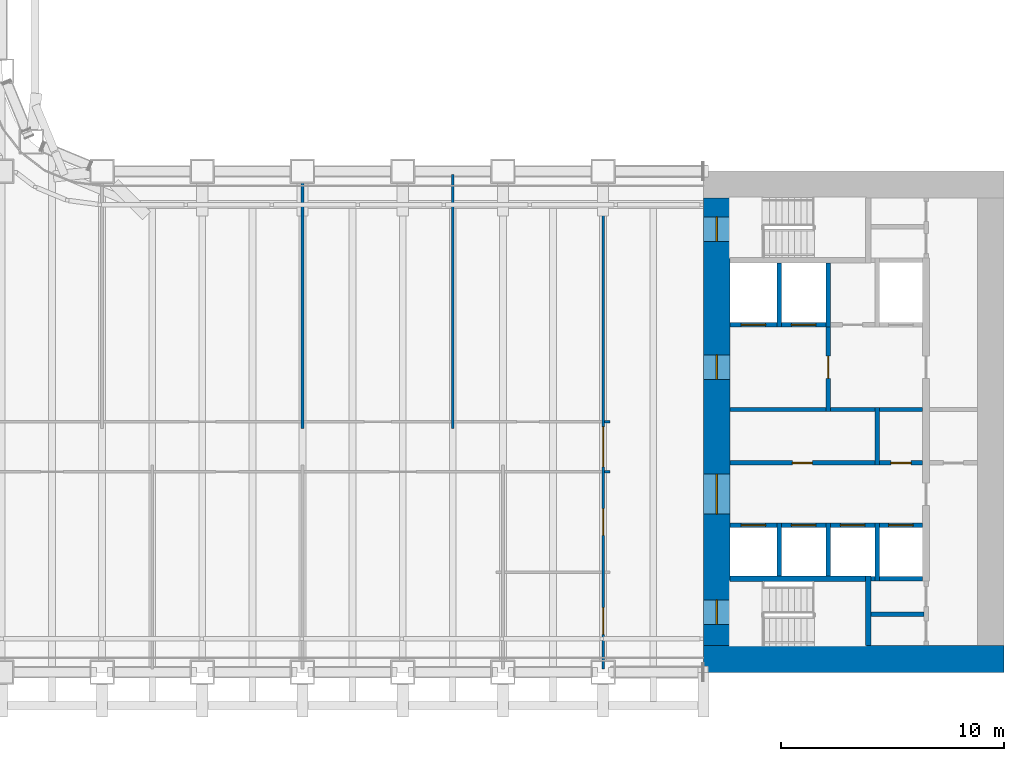
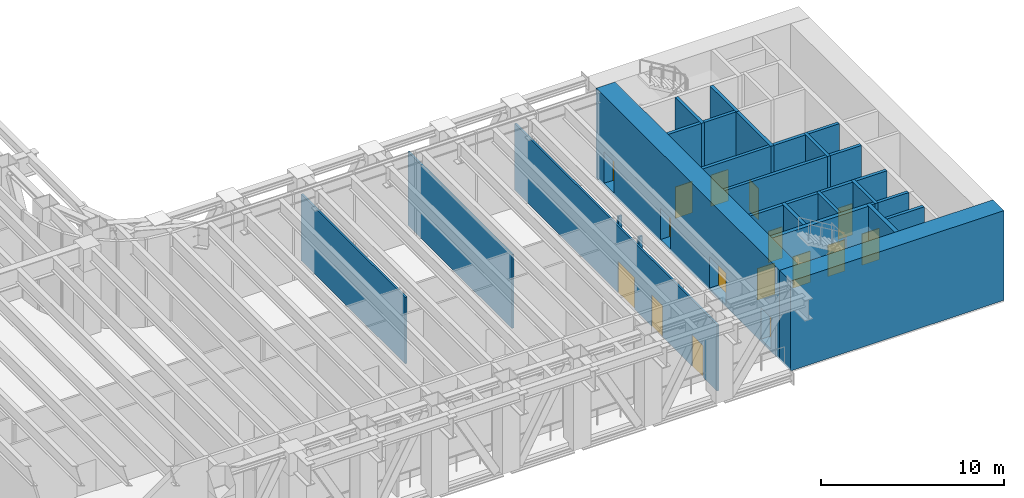
# One storey, part 8 of 19: 30 walls, 16 doors, 16 openings.
"""IFC4 building model written with IfcOpenShell, lengths in metres."""

from ifc_helpers import new_model, si_unit, direction, frame, frame_2d, origin, place, context, subcontext, project, spatial, rectangle, extrude, material, layer, layer_set, type_object, element, fill, save


model = new_model("IFC4")

# Units and contexts
model_context = context("Model", 3, precision=1e-05, world=origin(), true_north=direction((0.0, 1.0)))
body_context = subcontext(model_context, "Body", "Model", "MODEL_VIEW")
ifc_project = project(units=[si_unit("LENGTHUNIT", "METRE"), si_unit("AREAUNIT", "SQUARE_METRE"), si_unit("VOLUMEUNIT", "CUBIC_METRE"), si_unit("PLANEANGLEUNIT", "RADIAN"), si_unit("MASSUNIT", "GRAM", prefix="KILO")], contexts=[model_context])

# Site, building, storey
site_placement = place(None, origin())
site = spatial("IfcSite", under=ifc_project, at=site_placement, CompositionType="ELEMENT")
building_placement = place(site_placement, origin())
building = spatial("IfcBuilding", under=site, at=building_placement, Name="Sennacour Bend Tower", CompositionType="ELEMENT")
storey_placement = place(building_placement, frame((0.0, 0.0, 77.0)))
storey = spatial("IfcBuildingStorey", under=building, at=storey_placement, Name="L17", CompositionType="ELEMENT", Elevation=77.0)

# Wall
ifc_material_1 = material(Name="Concrete C80/95", Category="concrete")
ifc_layer_1 = layer(ifc_material_1, 1.199951171875, Name="Concrete C80/95", Category="concrete")
ifc_layer_set_1 = layer_set([ifc_layer_1], Name="Concrete C80/95")
wall_type_1 = type_object("IfcWallType", Name="Core wall 1200 C80/95", PredefinedType="SHEAR", material=ifc_layer_set_1)
wall_1_placement = place(storey_placement, frame((67.5, 0.60009765625, -0.14990234375), z_axis=(0.0, 0.0, 1.0), x_axis=(-1.0, 0.0, 0.0)))
element("IfcWall", 1, at=wall_1_placement, inside=storey, type_object=wall_type_1, Name="Core A wall L17 S", PredefinedType="SHEAR", context=body_context, shape_type="SweptSolid", body=[
    extrude(rectangle(XDim=13.5, YDim=1.199951171875, at=frame_2d((6.75, 0.0))), origin(), (0.0, 0.0, 1.0), 6.0),
])

# Wall, openings, doors
wall_2_placement = place(storey_placement, frame((54.60009765625, 1.199951171875, -0.14990234375), z_axis=(0.0, 0.0, 1.0), x_axis=(0.0, 1.0, 0.0)))
wall_2 = element("IfcWall", 2, at=wall_2_placement, inside=storey, type_object=wall_type_1, Name="Core A wall L17 W", PredefinedType="SHEAR", context=body_context, shape_type="SweptSolid", body=[
    extrude(rectangle(XDim=20.10009765625, YDim=1.199951171875, at=frame_2d((10.050048828125, 0.0))), origin(), (0.0, 0.0, 1.0), 6.0),
])
opening_1_placement = place(wall_2_placement, frame((5.89990234375, 0.0, 0.14990234375)))
opening_1 = element("IfcOpeningElement", 3, at=opening_1_placement, cuts=wall_2, Name="Opening CD", PredefinedType="OPENING", context=body_context, shape_type="SweptSolid", body=[
    extrude(rectangle(XDim=1.800048828125, YDim=2.10009765625, at=frame_2d((0.89990234375, 1.050048828125))), frame((0.0, 0.60986328125, 0.0), z_axis=(0.0, -1.0, 0.0), x_axis=(1.0, 0.0, 0.0)), (0.0, 0.0, 1.0), 1.219970703125),
])
opening_2_placement = place(wall_2_placement, frame((11.949951171875, 0.0, 0.14990234375)))
opening_2 = element("IfcOpeningElement", 4, at=opening_2_placement, cuts=wall_2, Name="Opening FD", PredefinedType="OPENING", context=body_context, shape_type="SweptSolid", body=[
    extrude(rectangle(XDim=1.10009765625, YDim=2.10009765625, at=frame_2d((0.550048828125, 1.050048828125))), frame((0.0, 0.60986328125, 0.0), z_axis=(0.0, -1.0, 0.0), x_axis=(1.0, 0.0, 0.0)), (0.0, 0.0, 1.0), 1.219970703125),
])
opening_3_placement = place(wall_2_placement, frame((0.949951171875, 0.0, 0.14990234375)))
opening_3 = element("IfcOpeningElement", 5, at=opening_3_placement, cuts=wall_2, Name="Opening SD", PredefinedType="OPENING", context=body_context, shape_type="SweptSolid", body=[
    extrude(rectangle(XDim=1.10009765625, YDim=2.10009765625, at=frame_2d((0.550048828125, 1.050048828125))), frame((0.0, 0.60986328125, 0.0), z_axis=(0.0, -1.0, 0.0), x_axis=(1.0, 0.0, 0.0)), (0.0, 0.0, 1.0), 1.219970703125),
])
opening_4_placement = place(wall_2_placement, frame((18.14990234375, 0.0, 0.14990234375)))
opening_4 = element("IfcOpeningElement", 6, at=opening_4_placement, cuts=wall_2, Name="Opening SD", PredefinedType="OPENING", context=body_context, shape_type="SweptSolid", body=[
    extrude(rectangle(XDim=1.10009765625, YDim=2.10009765625, at=frame_2d((0.550048828125, 1.050048828125))), frame((0.0, 0.60986328125, 0.0), z_axis=(0.0, -1.0, 0.0), x_axis=(1.0, 0.0, 0.0)), (0.0, 0.0, 1.0), 1.219970703125),
])
ifc_material_2 = material(Name="Painted steel", Category="steel")
door_type_1 = type_object("IfcDoorType", Name="DR-FFL-1100", OperationType="NOTDEFINED", PredefinedType="DOOR", material=ifc_material_2)
door_1_placement = place(opening_2_placement, origin())
door_1 = element("IfcDoor", 7, at=door_1_placement, inside=storey, type_object=door_type_1, Name="Door", OperationType="SINGLE_SWING_RIGHT", OverallHeight=2.10009765625, OverallWidth=1.10009765625, PredefinedType="DOOR", context=body_context, shape_type="SweptSolid", body=[
    extrude(rectangle(XDim=1.10009765625, YDim=2.10009765625, at=frame_2d((0.550048828125, 1.050048828125))), frame((0.0, 0.02490234375, 0.0), z_axis=(0.0, -1.0, 0.0), x_axis=(1.0, 0.0, 0.0)), (0.0, 0.0, 1.0), 0.050048828125),
])
fill(opening_2, door_1)
door_type_2 = type_object("IfcDoorType", Name="DR-LOBBY-1800", OperationType="NOTDEFINED", PredefinedType="DOOR", material=ifc_material_2)
door_2_placement = place(opening_1_placement, origin())
door_2 = element("IfcDoor", 8, at=door_2_placement, inside=storey, type_object=door_type_2, Name="Door", OperationType="DOUBLE_DOOR_SINGLE_SWING", OverallHeight=2.10009765625, OverallWidth=1.800048828125, PredefinedType="DOOR", context=body_context, shape_type="SweptSolid", body=[
    extrude(rectangle(XDim=1.800048828125, YDim=2.10009765625, at=frame_2d((0.89990234375, 1.050048828125))), frame((0.0, 0.02490234375, 0.0), z_axis=(0.0, -1.0, 0.0), x_axis=(1.0, 0.0, 0.0)), (0.0, 0.0, 1.0), 0.050048828125),
])
fill(opening_1, door_2)
door_type_3 = type_object("IfcDoorType", Name="DR-STAIR-1100", OperationType="NOTDEFINED", PredefinedType="DOOR", material=ifc_material_2)
door_3_placement = place(opening_3_placement, origin())
door_3 = element("IfcDoor", 9, at=door_3_placement, inside=storey, type_object=door_type_3, Name="Door", OperationType="SINGLE_SWING_LEFT", OverallHeight=2.10009765625, OverallWidth=1.10009765625, PredefinedType="DOOR", context=body_context, shape_type="SweptSolid", body=[
    extrude(rectangle(XDim=1.10009765625, YDim=2.10009765625, at=frame_2d((0.550048828125, 1.050048828125))), frame((0.0, 0.02490234375, 0.0), z_axis=(0.0, -1.0, 0.0), x_axis=(1.0, 0.0, 0.0)), (0.0, 0.0, 1.0), 0.050048828125),
])
fill(opening_3, door_3)
door_4_placement = place(opening_4_placement, origin())
door_4 = element("IfcDoor", 10, at=door_4_placement, inside=storey, type_object=door_type_3, Name="Door", OperationType="SINGLE_SWING_RIGHT", OverallHeight=2.10009765625, OverallWidth=1.10009765625, PredefinedType="DOOR", context=body_context, shape_type="SweptSolid", body=[
    extrude(rectangle(XDim=1.10009765625, YDim=2.10009765625, at=frame_2d((0.550048828125, 1.050048828125))), frame((0.0, 0.02490234375, 0.0), z_axis=(0.0, -1.0, 0.0), x_axis=(1.0, 0.0, 0.0)), (0.0, 0.0, 1.0), 0.050048828125),
])
fill(opening_4, door_4)

# Walls
ifc_material_3 = material(Name="Plasterboard partition on steel studs", Category="steel")
ifc_layer_2 = layer(ifc_material_3, 0.1201171875, Name="Plasterboard partition on steel studs", Category="steel")
ifc_layer_set_2 = layer_set([ifc_layer_2], Name="Plasterboard partition on steel studs")
wall_type_2 = type_object("IfcWallType", Name="Partition 120", PredefinedType="PARTITIONING", material=ifc_layer_set_2)
wall_3_placement = place(storey_placement, frame((36.0, 10.949951171875, 0.0), z_axis=(0.0, 0.0, 1.0), x_axis=(0.0, 1.0, 0.0)))
element("IfcWall", 11, at=wall_3_placement, inside=storey, type_object=wall_type_2, Name="P-L17-W026a", PredefinedType="PARTITIONING", context=body_context, shape_type="SweptSolid", body=[
    extrude(rectangle(XDim=11.400146484375, YDim=0.1201171875, at=frame_2d((5.7001953125, 0.0))), origin(), (0.0, 0.0, 1.0), 4.449951171875),
])
wall_4_placement = place(storey_placement, frame((42.75, 10.949951171875, 0.0), z_axis=(0.0, 0.0, 1.0), x_axis=(0.0, 1.0, 0.0)))
element("IfcWall", 12, at=wall_4_placement, inside=storey, type_object=wall_type_2, Name="P-L17-W027a", PredefinedType="PARTITIONING", context=body_context, shape_type="SweptSolid", body=[
    extrude(rectangle(XDim=11.400146484375, YDim=0.1201171875, at=frame_2d((5.7001953125, 0.0))), origin(), (0.0, 0.0, 1.0), 4.93798828125),
])
for number, where, z_axis, x_axis, name in (
    (13, (49.56005859375, 9.0, 0.0), (0.0, 0.0, 1.0), (1.0, 0.0, 0.0), "P-L17-W052ag"),
    (14, (49.56005859375, 11.25, 0.0), (0.0, 0.0, 1.0), (1.0, 0.0, 0.0), "P-L17-W054ag"),
):
    element("IfcWall", number, at=place(storey_placement, frame(where, z_axis=z_axis, x_axis=x_axis)), inside=storey, type_object=wall_type_2, Name=name, PredefinedType="PARTITIONING", context=body_context, shape_type="SweptSolid", body=[
        extrude(rectangle(XDim=0.239990234375, YDim=0.1201171875, at=frame_2d((0.1201171875, 0.0))), origin(), (0.0, 0.0, 1.0), 4.93798828125),
    ])

# Wall, openings, doors
ifc_layer_3 = layer(ifc_material_3, 0.1201171875, Name="Plasterboard partition on steel studs", Category="steel")
ifc_layer_set_3 = layer_set([ifc_layer_3], Name="Plasterboard partition on steel studs")
wall_type_3 = type_object("IfcWallType", Name="Partition 120 EI 60", PredefinedType="PARTITIONING", material=ifc_layer_set_3)
wall_5_placement = place(storey_placement, frame((49.5, 0.14990234375, 0.0), z_axis=(0.0, 0.0, 1.0), x_axis=(0.0, 1.0, 0.0)))
wall_5 = element("IfcWall", 15, at=wall_5_placement, inside=storey, type_object=wall_type_3, Name="P-L17-W029a", PredefinedType="PARTITIONING", context=body_context, shape_type="SweptSolid", body=[
    extrude(rectangle(XDim=22.2001953125, YDim=0.1201171875, at=frame_2d((11.10009765625, 0.0))), origin(), (0.0, 0.0, 1.0), 4.449951171875),
])
opening_5_placement = place(wall_5_placement, frame((9.0751953125, 0.0, 0.0)))
opening_5 = element("IfcOpeningElement", 16, at=opening_5_placement, cuts=wall_5, Name="Opening KD3", PredefinedType="OPENING", context=body_context, shape_type="SweptSolid", body=[
    extrude(rectangle(XDim=1.800048828125, YDim=2.10009765625, at=frame_2d((0.89990234375, 1.050048828125))), frame((0.0, 0.070068359375, 0.0), z_axis=(0.0, -1.0, 0.0), x_axis=(1.0, 0.0, 0.0)), (0.0, 0.0, 1.0), 0.14013671875),
])
opening_6_placement = place(wall_5_placement, frame((1.55517578125, 0.0, 0.0)))
opening_6 = element("IfcOpeningElement", 17, at=opening_6_placement, cuts=wall_5, Name="Opening CD3", PredefinedType="OPENING", context=body_context, shape_type="SweptSolid", body=[
    extrude(rectangle(XDim=1.199951171875, YDim=2.10009765625, at=frame_2d((0.60009765625, 1.050048828125))), frame((0.0, 0.070068359375, 0.0), z_axis=(0.0, -1.0, 0.0), x_axis=(1.0, 0.0, 0.0)), (0.0, 0.0, 1.0), 0.14013671875),
])
opening_7_placement = place(wall_5_placement, frame((6.0, 0.0, 0.0)))
opening_7 = element("IfcOpeningElement", 18, at=opening_7_placement, cuts=wall_5, Name="Opening CD3", PredefinedType="OPENING", context=body_context, shape_type="SweptSolid", body=[
    extrude(rectangle(XDim=1.199951171875, YDim=2.10009765625, at=frame_2d((0.60009765625, 1.050048828125))), frame((0.0, 0.070068359375, 0.0), z_axis=(0.0, -1.0, 0.0), x_axis=(1.0, 0.0, 0.0)), (0.0, 0.0, 1.0), 0.14013671875),
])
door_type_4 = type_object("IfcDoorType", Name="DR-CORRIDOR-1800", OperationType="NOTDEFINED", PredefinedType="DOOR", material=ifc_material_2)
door_5_placement = place(opening_5_placement, origin())
door_5 = element("IfcDoor", 19, at=door_5_placement, inside=storey, type_object=door_type_4, Name="Door", OperationType="DOUBLE_DOOR_SINGLE_SWING", OverallHeight=2.10009765625, OverallWidth=1.800048828125, PredefinedType="DOOR", context=body_context, shape_type="SweptSolid", body=[
    extrude(rectangle(XDim=1.800048828125, YDim=2.10009765625, at=frame_2d((0.89990234375, 1.050048828125))), frame((0.0, 0.02490234375, 0.0), z_axis=(0.0, -1.0, 0.0), x_axis=(1.0, 0.0, 0.0)), (0.0, 0.0, 1.0), 0.050048828125),
])
fill(opening_5, door_5)
door_type_5 = type_object("IfcDoorType", Name="DR-LOBBY-1200", OperationType="NOTDEFINED", PredefinedType="DOOR", material=ifc_material_2)
door_6_placement = place(opening_6_placement, origin())
door_6 = element("IfcDoor", 20, at=door_6_placement, inside=storey, type_object=door_type_5, Name="Door", OperationType="SINGLE_SWING_LEFT", OverallHeight=2.10009765625, OverallWidth=1.199951171875, PredefinedType="DOOR", context=body_context, shape_type="SweptSolid", body=[
    extrude(rectangle(XDim=1.199951171875, YDim=2.10009765625, at=frame_2d((0.60009765625, 1.050048828125))), frame((0.0, 0.02490234375, 0.0), z_axis=(0.0, -1.0, 0.0), x_axis=(1.0, 0.0, 0.0)), (0.0, 0.0, 1.0), 0.050048828125),
])
fill(opening_6, door_6)
door_7_placement = place(opening_7_placement, origin())
door_7 = element("IfcDoor", 21, at=door_7_placement, inside=storey, type_object=door_type_5, Name="Door", OperationType="SINGLE_SWING_LEFT", OverallHeight=2.10009765625, OverallWidth=1.199951171875, PredefinedType="DOOR", context=body_context, shape_type="SweptSolid", body=[
    extrude(rectangle(XDim=1.199951171875, YDim=2.10009765625, at=frame_2d((0.60009765625, 1.050048828125))), frame((0.0, 0.02490234375, 0.0), z_axis=(0.0, -1.0, 0.0), x_axis=(1.0, 0.0, 0.0)), (0.0, 0.0, 1.0), 0.050048828125),
])
fill(opening_7, door_7)

# Walls
ifc_material_4 = material(Name="Fire-rated plasterboard partition on steel studs", Category="steel")
ifc_layer_4 = layer(ifc_material_4, 0.199951171875, Name="Fire-rated plasterboard partition on steel studs", Category="steel")
ifc_layer_set_4 = layer_set([ifc_layer_4], Name="Fire-rated plasterboard partition on steel studs")
wall_type_4 = type_object("IfcWallType", Name="Rated partition 200", PredefinedType="PARTITIONING", material=ifc_layer_set_4)
wall_6_placement = place(storey_placement, frame((61.800048828125, 9.300048828125, 0.0), z_axis=(0.0, 0.0, 1.0), x_axis=(0.0, 1.0, 0.0)))
element("IfcWall", 22, at=wall_6_placement, inside=storey, type_object=wall_type_4, Name="P-L17-W038", PredefinedType="PARTITIONING", context=body_context, shape_type="SweptSolid", body=[
    extrude(rectangle(XDim=2.599853515625, YDim=0.199951171875, at=frame_2d((1.2998046875, 0.0))), origin(), (0.0, 0.0, 1.0), 5.85009765625),
])
wall_7_placement = place(storey_placement, frame((61.52490234375, 2.60009765625, 0.0), z_axis=(0.0, 0.0, 1.0), x_axis=(1.0, 0.0, 0.0)))
element("IfcWall", 23, at=wall_7_placement, inside=storey, type_object=wall_type_4, Name="P-L17-W045", PredefinedType="PARTITIONING", context=body_context, shape_type="SweptSolid", body=[
    extrude(rectangle(XDim=2.375, YDim=0.199951171875, at=frame_2d((1.1875, 0.0))), origin(), (0.0, 0.0, 1.0), 5.85009765625),
])

# Wall, opening, door
wall_8_placement = place(storey_placement, frame((55.199951171875, 9.39990234375, 0.0), z_axis=(0.0, 0.0, 1.0), x_axis=(1.0, 0.0, 0.0)))
wall_8 = element("IfcWall", 24, at=wall_8_placement, inside=storey, type_object=wall_type_4, Name="P-L17-W053a", PredefinedType="PARTITIONING", context=body_context, shape_type="SweptSolid", body=[
    extrude(rectangle(XDim=6.5, YDim=0.199951171875, at=frame_2d((3.25, 0.0))), origin(), (0.0, 0.0, 1.0), 5.85009765625),
])
opening_8_placement = place(wall_8_placement, frame((2.800048828125, 0.0, 0.0)))
opening_8 = element("IfcOpeningElement", 25, at=opening_8_placement, cuts=wall_8, Name="Opening SV", PredefinedType="OPENING", context=body_context, shape_type="SweptSolid", body=[
    extrude(rectangle(XDim=0.89990234375, YDim=2.10009765625, at=frame_2d((0.449951171875, 1.050048828125))), frame((0.0, 0.10986328125, 0.0), z_axis=(0.0, -1.0, 0.0), x_axis=(1.0, 0.0, 0.0)), (0.0, 0.0, 1.0), 0.219970703125),
])
door_type_6 = type_object("IfcDoorType", Name="DR-SERVICE-900", OperationType="NOTDEFINED", PredefinedType="DOOR", material=ifc_material_2)
door_8_placement = place(opening_8_placement, origin())
door_8 = element("IfcDoor", 26, at=door_8_placement, inside=storey, type_object=door_type_6, Name="Door", OperationType="SINGLE_SWING_LEFT", OverallHeight=2.10009765625, OverallWidth=0.89990234375, PredefinedType="DOOR", context=body_context, shape_type="SweptSolid", body=[
    extrude(rectangle(XDim=0.89990234375, YDim=2.10009765625, at=frame_2d((0.449951171875, 1.050048828125))), frame((0.0, 0.02490234375, 0.0), z_axis=(0.0, -1.0, 0.0), x_axis=(1.0, 0.0, 0.0)), (0.0, 0.0, 1.0), 0.050048828125),
])
fill(opening_8, door_8)

wall_9_placement = place(storey_placement, frame((61.89990234375, 9.39990234375, 0.0), z_axis=(0.0, 0.0, 1.0), x_axis=(1.0, 0.0, 0.0)))
wall_9 = element("IfcWall", 27, at=wall_9_placement, inside=storey, type_object=wall_type_4, Name="P-L17-W053b", PredefinedType="PARTITIONING", context=body_context, shape_type="SweptSolid", body=[
    extrude(rectangle(XDim=1.9501953125, YDim=0.199951171875, at=frame_2d((0.97509765625, 0.0))), origin(), (0.0, 0.0, 1.0), 5.85009765625),
])
opening_9_placement = place(wall_9_placement, frame((0.525146484375, 0.0, 0.0)))
opening_9 = element("IfcOpeningElement", 28, at=opening_9_placement, cuts=wall_9, Name="Opening SV", PredefinedType="OPENING", context=body_context, shape_type="SweptSolid", body=[
    extrude(rectangle(XDim=0.89990234375, YDim=2.10009765625, at=frame_2d((0.449951171875, 1.050048828125))), frame((0.0, 0.10986328125, 0.0), z_axis=(0.0, -1.0, 0.0), x_axis=(1.0, 0.0, 0.0)), (0.0, 0.0, 1.0), 0.219970703125),
])
door_9_placement = place(opening_9_placement, origin())
door_9 = element("IfcDoor", 29, at=door_9_placement, inside=storey, type_object=door_type_6, Name="Door", OperationType="SINGLE_SWING_LEFT", OverallHeight=2.10009765625, OverallWidth=0.89990234375, PredefinedType="DOOR", context=body_context, shape_type="SweptSolid", body=[
    extrude(rectangle(XDim=0.89990234375, YDim=2.10009765625, at=frame_2d((0.449951171875, 1.050048828125))), frame((0.0, 0.02490234375, 0.0), z_axis=(0.0, -1.0, 0.0), x_axis=(1.0, 0.0, 0.0)), (0.0, 0.0, 1.0), 0.050048828125),
])
fill(opening_9, door_9)

# Walls
wall_10_placement = place(storey_placement, frame((55.199951171875, 11.800048828125, 0.0), z_axis=(0.0, 0.0, 1.0), x_axis=(1.0, 0.0, 0.0)))
element("IfcWall", 30, at=wall_10_placement, inside=storey, type_object=wall_type_4, Name="P-L17-W055a", PredefinedType="PARTITIONING", context=body_context, shape_type="SweptSolid", body=[
    extrude(rectangle(XDim=4.300048828125, YDim=0.199951171875, at=frame_2d((2.14990234375, 0.0))), origin(), (0.0, 0.0, 1.0), 5.85009765625),
])
wall_11_placement = place(storey_placement, frame((59.699951171875, 11.800048828125, 0.0), z_axis=(0.0, 0.0, 1.0), x_axis=(1.0, 0.0, 0.0)))
element("IfcWall", 31, at=wall_11_placement, inside=storey, type_object=wall_type_4, Name="P-L17-W055b", PredefinedType="PARTITIONING", context=body_context, shape_type="SweptSolid", body=[
    extrude(rectangle(XDim=2.0, YDim=0.199951171875, at=frame_2d((1.0, 0.0))), origin(), (0.0, 0.0, 1.0), 5.85009765625),
])
wall_12_placement = place(storey_placement, frame((61.89990234375, 11.800048828125, 0.0), z_axis=(0.0, 0.0, 1.0), x_axis=(1.0, 0.0, 0.0)))
element("IfcWall", 32, at=wall_12_placement, inside=storey, type_object=wall_type_4, Name="P-L17-W055c", PredefinedType="PARTITIONING", context=body_context, shape_type="SweptSolid", body=[
    extrude(rectangle(XDim=1.9501953125, YDim=0.199951171875, at=frame_2d((0.97509765625, 0.0))), origin(), (0.0, 0.0, 1.0), 5.85009765625),
])

# Wall, opening, door
ifc_layer_5 = layer(ifc_material_4, 0.199951171875, Name="Fire-rated plasterboard partition on steel studs", Category="steel")
ifc_layer_set_5 = layer_set([ifc_layer_5], Name="Fire-rated plasterboard partition on steel studs")
wall_type_5 = type_object("IfcWallType", Name="Rated partition 200 EI 90", PredefinedType="PARTITIONING", material=ifc_layer_set_5)
wall_13_placement = place(storey_placement, frame((59.60009765625, 11.699951171875, 0.0), z_axis=(0.0, 0.0, 1.0), x_axis=(0.0, 1.0, 0.0)))
wall_13 = element("IfcWall", 33, at=wall_13_placement, inside=storey, type_object=wall_type_5, Name="P-L17-W033", PredefinedType="PARTITIONING", context=body_context, shape_type="SweptSolid", body=[
    extrude(rectangle(XDim=3.800048828125, YDim=0.199951171875, at=frame_2d((1.89990234375, 0.0))), origin(), (0.0, 0.0, 1.0), 5.85009765625),
])
opening_10_placement = place(wall_13_placement, frame((1.5, 0.0, 0.0)))
opening_10 = element("IfcOpeningElement", 34, at=opening_10_placement, cuts=wall_13, Name="Opening FD2", PredefinedType="OPENING", context=body_context, shape_type="SweptSolid", body=[
    extrude(rectangle(XDim=1.0, YDim=2.10009765625, at=frame_2d((0.5, 1.050048828125))), frame((0.0, 0.10986328125, 0.0), z_axis=(0.0, -1.0, 0.0), x_axis=(1.0, 0.0, 0.0)), (0.0, 0.0, 1.0), 0.219970703125),
])
door_type_7 = type_object("IfcDoorType", Name="DR-FFL-1000", OperationType="NOTDEFINED", PredefinedType="DOOR", material=ifc_material_2)
door_10_placement = place(opening_10_placement, origin())
door_10 = element("IfcDoor", 35, at=door_10_placement, inside=storey, type_object=door_type_7, Name="Door", OperationType="SINGLE_SWING_RIGHT", OverallHeight=2.10009765625, OverallWidth=1.0, PredefinedType="DOOR", context=body_context, shape_type="SweptSolid", body=[
    extrude(rectangle(XDim=1.0, YDim=2.10009765625, at=frame_2d((0.5, 1.050048828125))), frame((0.0, 0.02490234375, 0.0), z_axis=(0.0, -1.0, 0.0), x_axis=(1.0, 0.0, 0.0)), (0.0, 0.0, 1.0), 0.050048828125),
])
fill(opening_10, door_10)

# Walls
ifc_material_5 = material(Name="Concrete C50/60", Category="concrete")
ifc_layer_6 = layer(ifc_material_5, 0.199951171875, Name="Concrete C50/60", Category="concrete")
ifc_layer_set_6 = layer_set([ifc_layer_6], Name="Concrete C50/60")
wall_type_6 = type_object("IfcWallType", Name="Shaft wall 200", PredefinedType="SOLIDWALL", material=ifc_layer_set_6)
wall_14_placement = place(storey_placement, frame((57.39990234375, 4.324951171875, 0.0), z_axis=(0.0, 0.0, 1.0), x_axis=(0.0, 1.0, 0.0)))
element("IfcWall", 36, at=wall_14_placement, inside=storey, type_object=wall_type_6, Name="P-L17-W030", PredefinedType="SOLIDWALL", context=body_context, shape_type="SweptSolid", body=[
    extrude(rectangle(XDim=2.375, YDim=0.199951171875, at=frame_2d((1.1875, 0.0))), origin(), (0.0, 0.0, 1.0), 5.85009765625),
])
wall_15_placement = place(storey_placement, frame((57.39990234375, 15.5, 0.0), z_axis=(0.0, 0.0, 1.0), x_axis=(0.0, 1.0, 0.0)))
element("IfcWall", 37, at=wall_15_placement, inside=storey, type_object=wall_type_6, Name="P-L17-W031", PredefinedType="SOLIDWALL", context=body_context, shape_type="SweptSolid", body=[
    extrude(rectangle(XDim=2.875, YDim=0.199951171875, at=frame_2d((1.4375, 0.0))), origin(), (0.0, 0.0, 1.0), 5.85009765625),
])
wall_16_placement = place(storey_placement, frame((59.60009765625, 4.324951171875, 0.0), z_axis=(0.0, 0.0, 1.0), x_axis=(0.0, 1.0, 0.0)))
element("IfcWall", 38, at=wall_16_placement, inside=storey, type_object=wall_type_6, Name="P-L17-W032", PredefinedType="SOLIDWALL", context=body_context, shape_type="SweptSolid", body=[
    extrude(rectangle(XDim=2.375, YDim=0.199951171875, at=frame_2d((1.1875, 0.0))), origin(), (0.0, 0.0, 1.0), 5.85009765625),
])
wall_17_placement = place(storey_placement, frame((59.60009765625, 15.5, 0.0), z_axis=(0.0, 0.0, 1.0), x_axis=(0.0, 1.0, 0.0)))
element("IfcWall", 39, at=wall_17_placement, inside=storey, type_object=wall_type_6, Name="P-L17-W034", PredefinedType="SOLIDWALL", context=body_context, shape_type="SweptSolid", body=[
    extrude(rectangle(XDim=2.875, YDim=0.199951171875, at=frame_2d((1.4375, 0.0))), origin(), (0.0, 0.0, 1.0), 5.85009765625),
])
wall_18_placement = place(storey_placement, frame((61.800048828125, 4.10009765625, 0.0), z_axis=(0.0, 0.0, 1.0), x_axis=(0.0, 1.0, 0.0)))
element("IfcWall", 40, at=wall_18_placement, inside=storey, type_object=wall_type_6, Name="P-L17-W037", PredefinedType="SOLIDWALL", context=body_context, shape_type="SweptSolid", body=[
    extrude(rectangle(XDim=2.599853515625, YDim=0.199951171875, at=frame_2d((1.2998046875, 0.0))), origin(), (0.0, 0.0, 1.0), 5.85009765625),
])
wall_19_placement = place(storey_placement, frame((61.52490234375, 4.199951171875, 0.0), z_axis=(0.0, 0.0, 1.0), x_axis=(1.0, 0.0, 0.0)))
element("IfcWall", 41, at=wall_19_placement, inside=storey, type_object=wall_type_6, Name="P-L17-W049a", PredefinedType="SOLIDWALL", context=body_context, shape_type="SweptSolid", body=[
    extrude(rectangle(XDim=0.175048828125, YDim=0.199951171875, at=frame_2d((0.08740234375, 0.0))), origin(), (0.0, 0.0, 1.0), 5.85009765625),
])
wall_20_placement = place(storey_placement, frame((61.89990234375, 4.199951171875, 0.0), z_axis=(0.0, 0.0, 1.0), x_axis=(1.0, 0.0, 0.0)))
element("IfcWall", 42, at=wall_20_placement, inside=storey, type_object=wall_type_6, Name="P-L17-W049b", PredefinedType="SOLIDWALL", context=body_context, shape_type="SweptSolid", body=[
    extrude(rectangle(XDim=1.9501953125, YDim=0.199951171875, at=frame_2d((0.97509765625, 0.0))), origin(), (0.0, 0.0, 1.0), 5.85009765625),
])

# Wall, opening, door
wall_21_placement = place(storey_placement, frame((55.199951171875, 6.60009765625, 0.0), z_axis=(0.0, 0.0, 1.0), x_axis=(1.0, 0.0, 0.0)))
wall_21 = element("IfcWall", 43, at=wall_21_placement, inside=storey, type_object=wall_type_6, Name="P-L17-W051a", PredefinedType="SOLIDWALL", context=body_context, shape_type="SweptSolid", body=[
    extrude(rectangle(XDim=2.10009765625, YDim=0.199951171875, at=frame_2d((1.050048828125, 0.0))), origin(), (0.0, 0.0, 1.0), 5.85009765625),
])
opening_11_placement = place(wall_21_placement, frame((0.5, 0.0, 0.011962890625)))
opening_11 = element("IfcOpeningElement", 44, at=opening_11_placement, cuts=wall_21, Name="Opening LD", PredefinedType="OPENING", context=body_context, shape_type="SweptSolid", body=[
    extrude(rectangle(XDim=1.10009765625, YDim=2.10009765625, at=frame_2d((0.550048828125, 1.050048828125))), frame((0.0, 0.10986328125, 0.0), z_axis=(0.0, -1.0, 0.0), x_axis=(1.0, 0.0, 0.0)), (0.0, 0.0, 1.0), 0.219970703125),
])
ifc_material_6 = material(Name="Stainless steel", Category="steel")
door_type_8 = type_object("IfcDoorType", Name="DR-LANDING-1100", OperationType="NOTDEFINED", PredefinedType="DOOR", material=ifc_material_6)
door_11_placement = place(opening_11_placement, origin())
door_11 = element("IfcDoor", 45, at=door_11_placement, inside=storey, type_object=door_type_8, Name="Lift landing door LA1", OperationType="SLIDING_TO_LEFT", OverallHeight=2.10009765625, OverallWidth=1.10009765625, PredefinedType="DOOR", context=body_context, shape_type="SweptSolid", body=[
    extrude(rectangle(XDim=1.10009765625, YDim=2.10009765625, at=frame_2d((0.550048828125, 1.050048828125))), frame((0.0, 0.02490234375, 0.0), z_axis=(0.0, -1.0, 0.0), x_axis=(1.0, 0.0, 0.0)), (0.0, 0.0, 1.0), 0.050048828125),
])
fill(opening_11, door_11)

wall_22_placement = place(storey_placement, frame((57.5, 6.60009765625, 0.0), z_axis=(0.0, 0.0, 1.0), x_axis=(1.0, 0.0, 0.0)))
wall_22 = element("IfcWall", 46, at=wall_22_placement, inside=storey, type_object=wall_type_6, Name="P-L17-W051b", PredefinedType="SOLIDWALL", context=body_context, shape_type="SweptSolid", body=[
    extrude(rectangle(XDim=2.0, YDim=0.199951171875, at=frame_2d((1.0, 0.0))), origin(), (0.0, 0.0, 1.0), 5.85009765625),
])
opening_12_placement = place(wall_22_placement, frame((0.449951171875, 0.0, 0.011962890625)))
opening_12 = element("IfcOpeningElement", 47, at=opening_12_placement, cuts=wall_22, Name="Opening LD", PredefinedType="OPENING", context=body_context, shape_type="SweptSolid", body=[
    extrude(rectangle(XDim=1.10009765625, YDim=2.10009765625, at=frame_2d((0.550048828125, 1.050048828125))), frame((0.0, 0.10986328125, 0.0), z_axis=(0.0, -1.0, 0.0), x_axis=(1.0, 0.0, 0.0)), (0.0, 0.0, 1.0), 0.219970703125),
])
door_12_placement = place(opening_12_placement, origin())
door_12 = element("IfcDoor", 48, at=door_12_placement, inside=storey, type_object=door_type_8, Name="Lift landing door LA2", OperationType="SLIDING_TO_RIGHT", OverallHeight=2.10009765625, OverallWidth=1.10009765625, PredefinedType="DOOR", context=body_context, shape_type="SweptSolid", body=[
    extrude(rectangle(XDim=1.10009765625, YDim=2.10009765625, at=frame_2d((0.550048828125, 1.050048828125))), frame((0.0, 0.02490234375, 0.0), z_axis=(0.0, -1.0, 0.0), x_axis=(1.0, 0.0, 0.0)), (0.0, 0.0, 1.0), 0.050048828125),
])
fill(opening_12, door_12)

wall_23_placement = place(storey_placement, frame((59.699951171875, 6.60009765625, 0.0), z_axis=(0.0, 0.0, 1.0), x_axis=(1.0, 0.0, 0.0)))
wall_23 = element("IfcWall", 49, at=wall_23_placement, inside=storey, type_object=wall_type_6, Name="P-L17-W051c", PredefinedType="SOLIDWALL", context=body_context, shape_type="SweptSolid", body=[
    extrude(rectangle(XDim=2.0, YDim=0.199951171875, at=frame_2d((1.0, 0.0))), origin(), (0.0, 0.0, 1.0), 5.85009765625),
])
opening_13_placement = place(wall_23_placement, frame((0.449951171875, 0.0, 0.011962890625)))
opening_13 = element("IfcOpeningElement", 50, at=opening_13_placement, cuts=wall_23, Name="Opening LD", PredefinedType="OPENING", context=body_context, shape_type="SweptSolid", body=[
    extrude(rectangle(XDim=1.10009765625, YDim=2.10009765625, at=frame_2d((0.550048828125, 1.050048828125))), frame((0.0, 0.10986328125, 0.0), z_axis=(0.0, -1.0, 0.0), x_axis=(1.0, 0.0, 0.0)), (0.0, 0.0, 1.0), 0.219970703125),
])
door_13_placement = place(opening_13_placement, origin())
door_13 = element("IfcDoor", 51, at=door_13_placement, inside=storey, type_object=door_type_8, Name="Lift landing door LA3", OperationType="SLIDING_TO_LEFT", OverallHeight=2.10009765625, OverallWidth=1.10009765625, PredefinedType="DOOR", context=body_context, shape_type="SweptSolid", body=[
    extrude(rectangle(XDim=1.10009765625, YDim=2.10009765625, at=frame_2d((0.550048828125, 1.050048828125))), frame((0.0, 0.02490234375, 0.0), z_axis=(0.0, -1.0, 0.0), x_axis=(1.0, 0.0, 0.0)), (0.0, 0.0, 1.0), 0.050048828125),
])
fill(opening_13, door_13)

wall_24_placement = place(storey_placement, frame((61.89990234375, 6.60009765625, 0.0), z_axis=(0.0, 0.0, 1.0), x_axis=(1.0, 0.0, 0.0)))
wall_24 = element("IfcWall", 52, at=wall_24_placement, inside=storey, type_object=wall_type_6, Name="P-L17-W051d", PredefinedType="SOLIDWALL", context=body_context, shape_type="SweptSolid", body=[
    extrude(rectangle(XDim=1.9501953125, YDim=0.199951171875, at=frame_2d((0.97509765625, 0.0))), origin(), (0.0, 0.0, 1.0), 5.85009765625),
])
opening_14_placement = place(wall_24_placement, frame((0.425048828125, 0.0, 0.011962890625)))
opening_14 = element("IfcOpeningElement", 53, at=opening_14_placement, cuts=wall_24, Name="Opening LD", PredefinedType="OPENING", context=body_context, shape_type="SweptSolid", body=[
    extrude(rectangle(XDim=1.10009765625, YDim=2.10009765625, at=frame_2d((0.550048828125, 1.050048828125))), frame((0.0, 0.10986328125, 0.0), z_axis=(0.0, -1.0, 0.0), x_axis=(1.0, 0.0, 0.0)), (0.0, 0.0, 1.0), 0.219970703125),
])
door_14_placement = place(opening_14_placement, origin())
door_14 = element("IfcDoor", 54, at=door_14_placement, inside=storey, type_object=door_type_8, Name="Lift landing door LA4", OperationType="SLIDING_TO_RIGHT", OverallHeight=2.10009765625, OverallWidth=1.10009765625, PredefinedType="DOOR", context=body_context, shape_type="SweptSolid", body=[
    extrude(rectangle(XDim=1.10009765625, YDim=2.10009765625, at=frame_2d((0.550048828125, 1.050048828125))), frame((0.0, 0.02490234375, 0.0), z_axis=(0.0, -1.0, 0.0), x_axis=(1.0, 0.0, 0.0)), (0.0, 0.0, 1.0), 0.050048828125),
])
fill(opening_14, door_14)

wall_25_placement = place(storey_placement, frame((55.199951171875, 15.60009765625, 0.0), z_axis=(0.0, 0.0, 1.0), x_axis=(1.0, 0.0, 0.0)))
wall_25 = element("IfcWall", 55, at=wall_25_placement, inside=storey, type_object=wall_type_6, Name="P-L17-W056a", PredefinedType="SOLIDWALL", context=body_context, shape_type="SweptSolid", body=[
    extrude(rectangle(XDim=2.10009765625, YDim=0.199951171875, at=frame_2d((1.050048828125, 0.0))), origin(), (0.0, 0.0, 1.0), 5.85009765625),
])
opening_15_placement = place(wall_25_placement, frame((0.5, 0.0, 0.011962890625)))
opening_15 = element("IfcOpeningElement", 56, at=opening_15_placement, cuts=wall_25, Name="Opening FLD", PredefinedType="OPENING", context=body_context, shape_type="SweptSolid", body=[
    extrude(rectangle(XDim=1.10009765625, YDim=2.10009765625, at=frame_2d((0.550048828125, 1.050048828125))), frame((0.0, 0.10986328125, 0.0), z_axis=(0.0, -1.0, 0.0), x_axis=(1.0, 0.0, 0.0)), (0.0, 0.0, 1.0), 0.219970703125),
])
door_type_9 = type_object("IfcDoorType", Name="DR-FF-LANDING-1100", OperationType="NOTDEFINED", PredefinedType="DOOR", material=ifc_material_6)
door_15_placement = place(opening_15_placement, origin())
door_15 = element("IfcDoor", 57, at=door_15_placement, inside=storey, type_object=door_type_9, Name="Fire service lift landing door FA1", OperationType="SLIDING_TO_LEFT", OverallHeight=2.10009765625, OverallWidth=1.10009765625, PredefinedType="DOOR", context=body_context, shape_type="SweptSolid", body=[
    extrude(rectangle(XDim=1.10009765625, YDim=2.10009765625, at=frame_2d((0.550048828125, 1.050048828125))), frame((0.0, 0.02490234375, 0.0), z_axis=(0.0, -1.0, 0.0), x_axis=(1.0, 0.0, 0.0)), (0.0, 0.0, 1.0), 0.050048828125),
])
fill(opening_15, door_15)

wall_26_placement = place(storey_placement, frame((57.5, 15.60009765625, 0.0), z_axis=(0.0, 0.0, 1.0), x_axis=(1.0, 0.0, 0.0)))
wall_26 = element("IfcWall", 58, at=wall_26_placement, inside=storey, type_object=wall_type_6, Name="P-L17-W056b", PredefinedType="SOLIDWALL", context=body_context, shape_type="SweptSolid", body=[
    extrude(rectangle(XDim=2.0, YDim=0.199951171875, at=frame_2d((1.0, 0.0))), origin(), (0.0, 0.0, 1.0), 5.85009765625),
])
opening_16_placement = place(wall_26_placement, frame((0.449951171875, 0.0, 0.011962890625)))
opening_16 = element("IfcOpeningElement", 59, at=opening_16_placement, cuts=wall_26, Name="Opening FLD", PredefinedType="OPENING", context=body_context, shape_type="SweptSolid", body=[
    extrude(rectangle(XDim=1.10009765625, YDim=2.10009765625, at=frame_2d((0.550048828125, 1.050048828125))), frame((0.0, 0.10986328125, 0.0), z_axis=(0.0, -1.0, 0.0), x_axis=(1.0, 0.0, 0.0)), (0.0, 0.0, 1.0), 0.219970703125),
])
door_16_placement = place(opening_16_placement, origin())
door_16 = element("IfcDoor", 60, at=door_16_placement, inside=storey, type_object=door_type_9, Name="Fire service lift landing door FA2", OperationType="SLIDING_TO_RIGHT", OverallHeight=2.10009765625, OverallWidth=1.10009765625, PredefinedType="DOOR", context=body_context, shape_type="SweptSolid", body=[
    extrude(rectangle(XDim=1.10009765625, YDim=2.10009765625, at=frame_2d((0.550048828125, 1.050048828125))), frame((0.0, 0.02490234375, 0.0), z_axis=(0.0, -1.0, 0.0), x_axis=(1.0, 0.0, 0.0)), (0.0, 0.0, 1.0), 0.050048828125),
])
fill(opening_16, door_16)

# Walls
ifc_material_7 = material(Name="Concrete C60/75", Category="concrete")
ifc_layer_7 = layer(ifc_material_7, 0.25, Name="Concrete C60/75", Category="concrete")
ifc_layer_set_7 = layer_set([ifc_layer_7], Name="Concrete C60/75")
wall_type_7 = type_object("IfcWallType", Name="Stair wall 250", PredefinedType="SHEAR", material=ifc_layer_set_7)
wall_27_placement = place(storey_placement, frame((61.39990234375, 1.199951171875, 0.0), z_axis=(0.0, 0.0, 1.0), x_axis=(0.0, 1.0, 0.0)))
element("IfcWall", 61, at=wall_27_placement, inside=storey, type_object=wall_type_7, Name="P-L17-W035", PredefinedType="SHEAR", context=body_context, shape_type="SweptSolid", body=[
    extrude(rectangle(XDim=3.125, YDim=0.25, at=frame_2d((1.5625, 0.0))), origin(), (0.0, 0.0, 1.0), 5.85009765625),
])
wall_28_placement = place(storey_placement, frame((55.199951171875, 4.199951171875, 0.0), z_axis=(0.0, 0.0, 1.0), x_axis=(1.0, 0.0, 0.0)))
element("IfcWall", 62, at=wall_28_placement, inside=storey, type_object=wall_type_7, Name="P-L17-W048", PredefinedType="SHEAR", context=body_context, shape_type="SweptSolid", body=[
    extrude(rectangle(XDim=6.074951171875, YDim=0.25, at=frame_2d((3.03759765625, 0.0))), origin(), (0.0, 0.0, 1.0), 5.85009765625),
])

save(model, "model.ifc")
